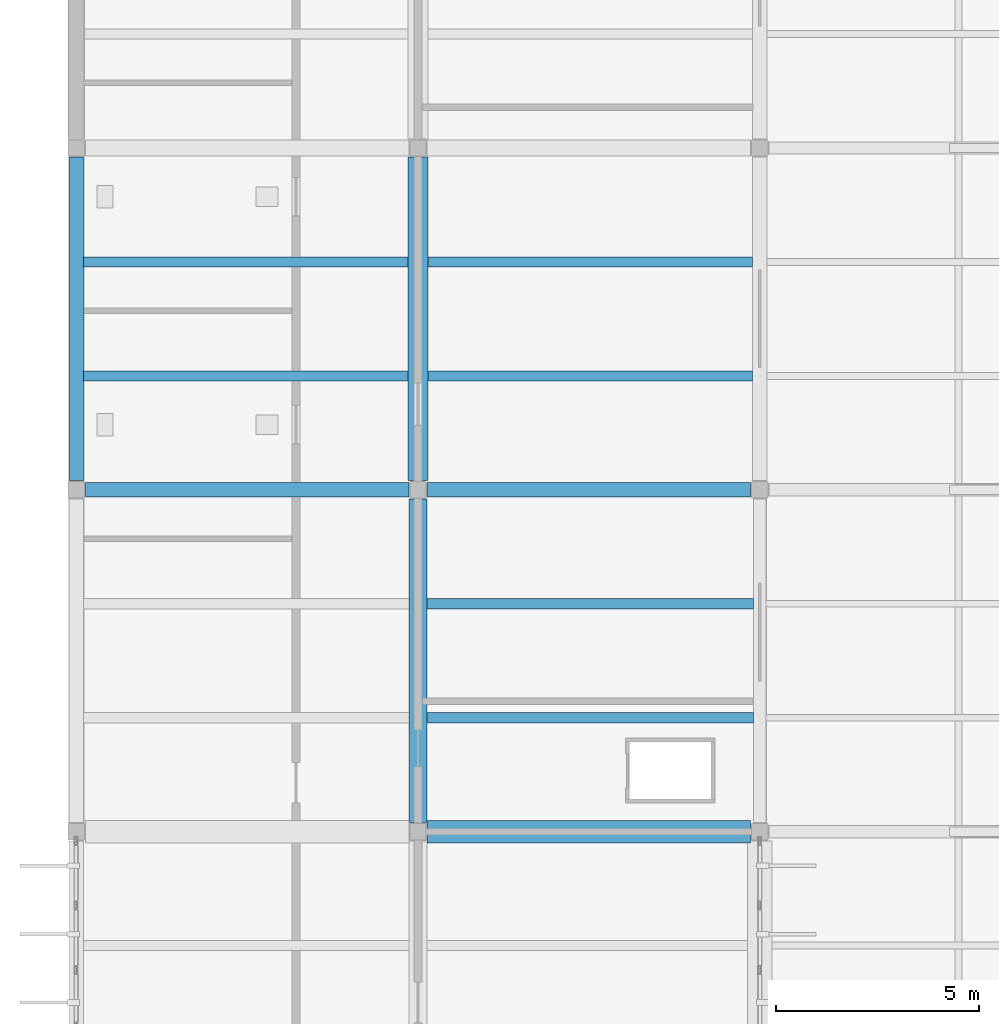
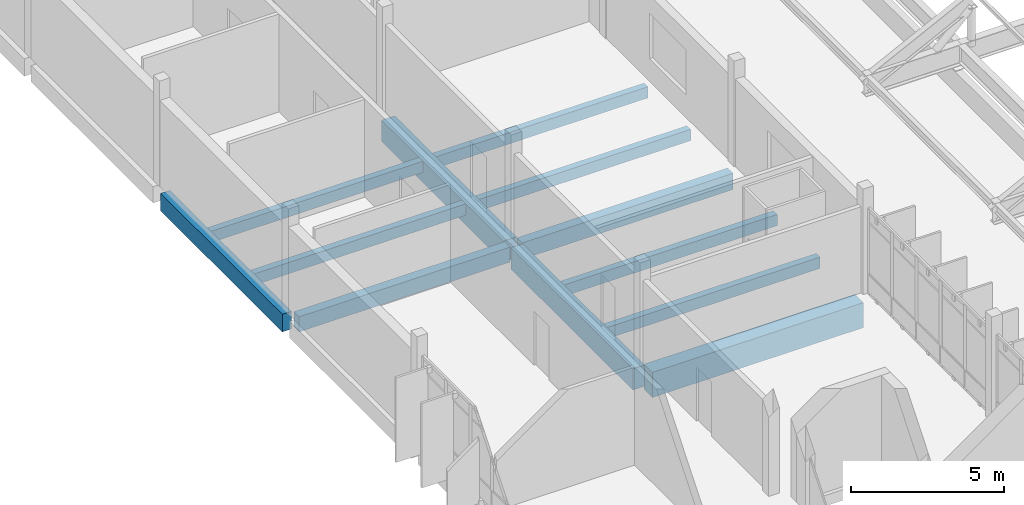
# One storey, part 13 of 41: 12 beams.
"""IFC4 building model written with IfcOpenShell, lengths in metres."""

from ifc_helpers import new_model, si_unit, direction, frame, origin, origin_2d, place, context, subcontext, project, spatial, rectangle, extrude, material, material_profile, profile_set, type_object, element, save


model = new_model("IFC4")

# Units and contexts
model_context = context("Model", 3, precision=1e-05, world=origin(), true_north=direction((0.0, 1.0)))
body_context = subcontext(model_context, "Body", "Model", "MODEL_VIEW")
ifc_project = project(units=[si_unit("LENGTHUNIT", "METRE"), si_unit("AREAUNIT", "SQUARE_METRE"), si_unit("VOLUMEUNIT", "CUBIC_METRE"), si_unit("PLANEANGLEUNIT", "RADIAN"), si_unit("MASSUNIT", "GRAM", prefix="KILO")], contexts=[model_context])

# Site, building, storey
site_placement = place(None, origin())
site = spatial("IfcSite", under=ifc_project, at=site_placement, CompositionType="ELEMENT")
building_placement = place(site_placement, origin())
building = spatial("IfcBuilding", under=site, at=building_placement, Name="Vireocrest Preparatory School", CompositionType="ELEMENT")
storey_placement = place(building_placement, frame((0.0, 0.0, 21.60009765625)))
storey = spatial("IfcBuildingStorey", under=building, at=storey_placement, Name="L05", CompositionType="ELEMENT", Elevation=21.60009765625)

# Beams
ifc_material = material(Name="Concrete 40 MPa", Category="concrete")
ifc_material_profile_1 = material_profile(ifc_material, rectangle(XDim=0.35009765625, YDim=0.60009765625, at=origin_2d()), Name="RC 350x600")
ifc_profile_set_1 = profile_set([ifc_material_profile_1], Name="Concrete 40 MPa")
beam_type_1 = type_object("IfcBeamType", Name="RC Classroom Girder 350x600", PredefinedType="BEAM", material=ifc_profile_set_1)
beam_1_placement = place(storey_placement, frame((42.22509765625, 69.0, -0.56005859375), z_axis=(1.0, 0.0, 0.0), x_axis=(0.0, 1.0, 0.0)))
element("IfcBeam", 1, at=beam_1_placement, inside=storey, type_object=beam_type_1, Name="Primary Girder B04 L05-1532", PredefinedType="BEAM", context=body_context, shape_type="SweptSolid", body=[
    extrude(rectangle(XDim=0.35009765625, YDim=0.60009765625, at=origin_2d()), origin(), (0.0, 0.0, 1.0), 7.949951171875),
])
ifc_material_profile_2 = material_profile(ifc_material, rectangle(XDim=0.35009765625, YDim=0.64990234375, at=origin_2d()), Name="RC 350x650")
ifc_profile_set_2 = profile_set([ifc_material_profile_2], Name="Concrete 40 MPa")
beam_type_2 = type_object("IfcBeamType", Name="RC Classroom Girder 350x650", PredefinedType="BEAM", material=ifc_profile_set_2)
beam_2_placement = place(storey_placement, frame((50.625, 69.0, -0.585205078125), z_axis=(1.0, 0.0, 0.0), x_axis=(0.0, 1.0, 0.0)))
element("IfcBeam", 2, at=beam_2_placement, inside=storey, type_object=beam_type_2, Name="Primary Girder B05 L05-1533", PredefinedType="BEAM", context=body_context, shape_type="SweptSolid", body=[
    extrude(rectangle(XDim=0.35009765625, YDim=0.64990234375, at=origin_2d()), origin(), (0.0, 0.0, 1.0), 7.949951171875),
])
ifc_material_profile_3 = material_profile(ifc_material, rectangle(XDim=0.550048828125, YDim=1.0, at=origin_2d()), Name="RC 550x1000")
ifc_profile_set_3 = profile_set([ifc_material_profile_3], Name="Concrete 40 MPa")
beam_type_3 = type_object("IfcBeamType", Name="RC Core Coupling Beam 550x1000", PredefinedType="BEAM", material=ifc_profile_set_3)
beam_3_placement = place(storey_placement, frame((50.625, 60.60009765625, -0.760009765625), z_axis=(1.0, 0.0, 0.0), x_axis=(0.0, 1.0, 0.0)))
element("IfcBeam", 3, at=beam_3_placement, inside=storey, type_object=beam_type_3, Name="Primary Girder B18 L05-1528", PredefinedType="BEAM", context=body_context, shape_type="SweptSolid", body=[
    extrude(rectangle(XDim=0.550048828125, YDim=1.0, at=origin_2d()), origin(), (0.0, 0.0, 1.0), 7.949951171875),
])
ifc_material_profile_4 = material_profile(ifc_material, rectangle(XDim=0.449951171875, YDim=0.85009765625, at=origin_2d()), Name="RC 450x850")
ifc_profile_set_4 = profile_set([ifc_material_profile_4], Name="Concrete 40 MPa")
beam_type_4 = type_object("IfcBeamType", Name="RC Heavy Floor Girder 450x850", PredefinedType="BEAM", material=ifc_profile_set_4)
beam_4_placement = place(storey_placement, frame((50.39990234375, 60.824951171875, -0.68505859375), z_axis=(0.0, 1.0, 0.0), x_axis=(-1.0, 0.0, 0.0)))
element("IfcBeam", 4, at=beam_4_placement, inside=storey, type_object=beam_type_4, Name="Primary Girder B13 L05-1572", PredefinedType="BEAM", context=body_context, shape_type="SweptSolid", body=[
    extrude(rectangle(XDim=0.449951171875, YDim=0.85009765625, at=origin_2d()), origin(), (0.0, 0.0, 1.0), 7.949951171875),
])
ifc_material_profile_5 = material_profile(ifc_material, rectangle(XDim=0.35009765625, YDim=0.699951171875, at=origin_2d()), Name="RC 350x700")
ifc_profile_set_5 = profile_set([ifc_material_profile_5], Name="Concrete 40 MPa")
beam_type_5 = type_object("IfcBeamType", Name="RC Laboratory Girder 350x700", PredefinedType="BEAM", material=ifc_profile_set_5)
beam_5_placement = place(storey_placement, frame((42.0, 69.22509765625, -0.610107421875), z_axis=(0.0, 1.0, 0.0), x_axis=(-1.0, 0.0, 0.0)))
element("IfcBeam", 5, at=beam_5_placement, inside=storey, type_object=beam_type_5, Name="Primary Girder B06 L05-1565", PredefinedType="BEAM", context=body_context, shape_type="SweptSolid", body=[
    extrude(rectangle(XDim=0.35009765625, YDim=0.699951171875, at=origin_2d()), origin(), (0.0, 0.0, 1.0), 7.949951171875),
])
ifc_material_profile_6 = material_profile(ifc_material, rectangle(XDim=0.5, YDim=0.85009765625, at=origin_2d()), Name="RC 500x850")
ifc_profile_set_6 = profile_set([ifc_material_profile_6], Name="Concrete 40 MPa")
beam_type_6 = type_object("IfcBeamType", Name="RC Podium Girder 500x850", PredefinedType="BEAM", material=ifc_profile_set_6)
beam_6_placement = place(storey_placement, frame((50.39990234375, 69.22509765625, -0.68505859375), z_axis=(0.0, 1.0, 0.0), x_axis=(-1.0, 0.0, 0.0)))
element("IfcBeam", 6, at=beam_6_placement, inside=storey, type_object=beam_type_6, Name="Primary Girder B14 L05-1573", PredefinedType="BEAM", context=body_context, shape_type="SweptSolid", body=[
    extrude(rectangle(XDim=0.5, YDim=0.85009765625, at=origin_2d()), origin(), (0.0, 0.0, 1.0), 7.949951171875),
])
ifc_material_profile_7 = material_profile(ifc_material, rectangle(XDim=0.25, YDim=0.449951171875, at=origin_2d()), Name="RC 250x450")
ifc_profile_set_7 = profile_set([ifc_material_profile_7], Name="Concrete 40 MPa")
beam_type_7 = type_object("IfcBeamType", Name="RC Secondary Floor Joist 250x450", PredefinedType="JOIST", material=ifc_profile_set_7)
for number, where, z_axis, x_axis, name in (
    (7, (42.175048828125, 71.800048828125, -0.485107421875), (1.0, 0.0, 0.0), (0.0, 1.0, 0.0), "Secondary Joist J01 L05-1619"),
    (8, (42.175048828125, 74.60009765625, -0.485107421875), (1.0, 0.0, 0.0), (0.0, 1.0, 0.0), "Secondary Joist J01 L05-1620"),
):
    element("IfcBeam", number, at=place(storey_placement, frame(where, z_axis=z_axis, x_axis=x_axis)), inside=storey, type_object=beam_type_7, Name=name, PredefinedType="JOIST", context=body_context, shape_type="SweptSolid", body=[
        extrude(rectangle(XDim=0.25, YDim=0.449951171875, at=origin_2d()), origin(), (0.0, 0.0, 1.0), 7.974853515625),
    ])
for number, where, z_axis, x_axis, name in (
    (9, (50.625, 63.39990234375, -0.485107421875), (1.0, 0.0, 0.0), (0.0, 1.0, 0.0), "Secondary Joist J01 L05-1631"),
    (10, (50.625, 66.199951171875, -0.485107421875), (1.0, 0.0, 0.0), (0.0, 1.0, 0.0), "Secondary Joist J01 L05-1632"),
):
    element("IfcBeam", number, at=place(storey_placement, frame(where, z_axis=z_axis, x_axis=x_axis)), inside=storey, type_object=beam_type_7, Name=name, PredefinedType="JOIST", context=body_context, shape_type="SweptSolid", body=[
        extrude(rectangle(XDim=0.25, YDim=0.449951171875, at=origin_2d()), origin(), (0.0, 0.0, 1.0), 8.02490234375),
    ])
for number, where, z_axis, x_axis, name in (
    (11, (50.64990234375, 71.800048828125, -0.485107421875), (1.0, 0.0, 0.0), (0.0, 1.0, 0.0), "Secondary Joist J01 L05-1633"),
    (12, (50.64990234375, 74.60009765625, -0.485107421875), (1.0, 0.0, 0.0), (0.0, 1.0, 0.0), "Secondary Joist J01 L05-1634"),
):
    element("IfcBeam", number, at=place(storey_placement, frame(where, z_axis=z_axis, x_axis=x_axis)), inside=storey, type_object=beam_type_7, Name=name, PredefinedType="JOIST", context=body_context, shape_type="SweptSolid", body=[
        extrude(rectangle(XDim=0.25, YDim=0.449951171875, at=origin_2d()), origin(), (0.0, 0.0, 1.0), 7.97509765625),
    ])

save(model, "model.ifc")
